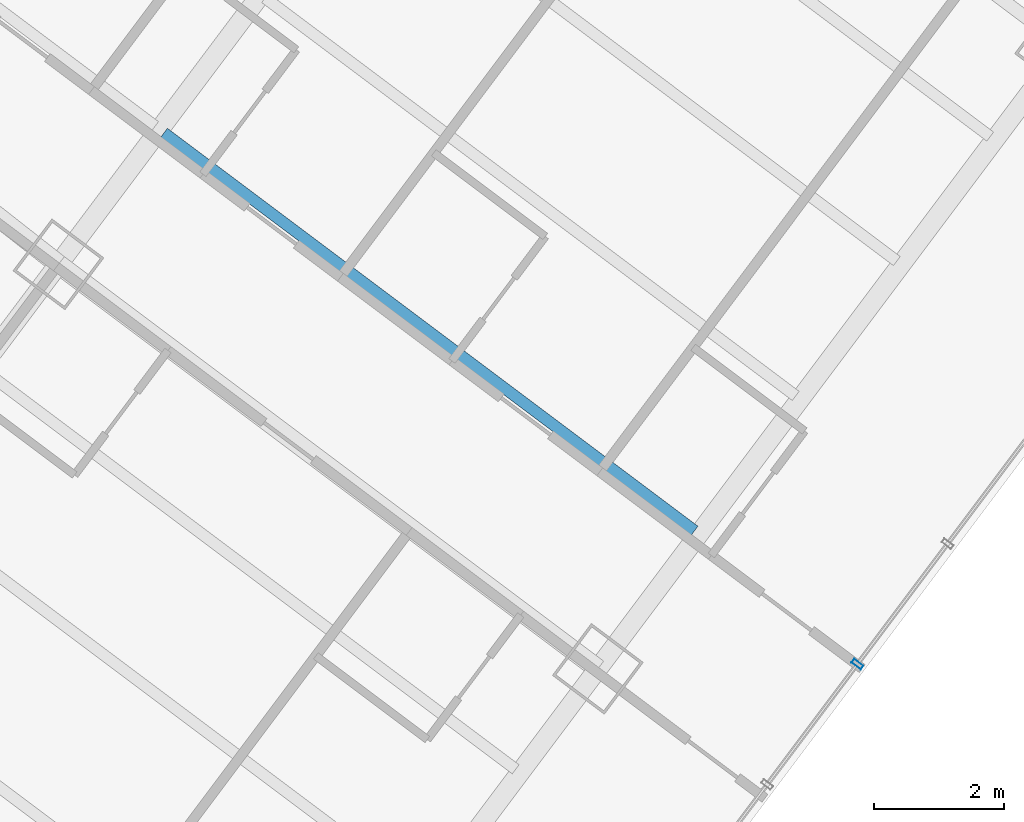
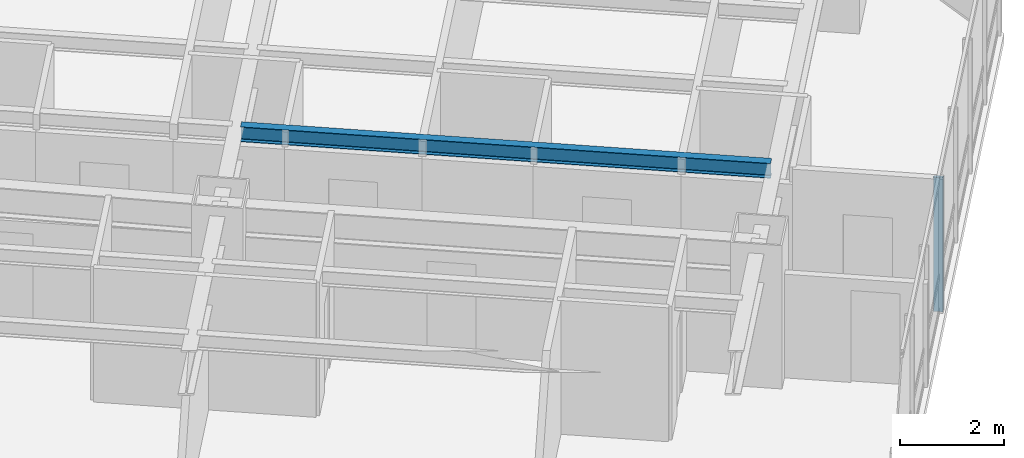
# One storey, part 16 of 38: 1 beam, 1 member, 1 element without a shape of its own.
"""IFC4 building model written with IfcOpenShell, lengths in metres."""

from ifc_helpers import new_model, si_unit, direction, frame, origin, origin_2d, place, context, subcontext, project, spatial, hollow_rectangle, i_section, extrude, material, layer, layer_set, material_profile, profile_set, type_object, element, aggregate, save


model = new_model("IFC4")

# Units and contexts
model_context = context("Model", 3, precision=1e-05, world=origin(), true_north=direction((0.0, 1.0)))
body_context = subcontext(model_context, "Body", "Model", "MODEL_VIEW")
ifc_project = project(units=[si_unit("LENGTHUNIT", "METRE"), si_unit("AREAUNIT", "SQUARE_METRE"), si_unit("VOLUMEUNIT", "CUBIC_METRE"), si_unit("PLANEANGLEUNIT", "RADIAN"), si_unit("MASSUNIT", "GRAM", prefix="KILO")], contexts=[model_context])

# Site, building, storey
site_placement = place(None, origin())
site = spatial("IfcSite", under=ifc_project, at=site_placement, CompositionType="ELEMENT")
building_placement = place(site_placement, origin())
building = spatial("IfcBuilding", under=site, at=building_placement, Name="Hatsunagi Terrace Concourse", CompositionType="ELEMENT")
storey_placement = place(building_placement, frame((0.0, 0.0, 63.39990234375)))
storey = spatial("IfcBuildingStorey", under=building, at=storey_placement, Name="L16", CompositionType="ELEMENT", Elevation=63.39990234375)

# Curtain wall, member
ifc_material_1 = material(Name="Anodised Aluminium Alloy 6063-T5", Category="aluminium")
ifc_layer = layer(ifc_material_1, 0.199951171875)
ifc_layer_set = layer_set([ifc_layer], Name="HotelFacade_CW02")
curtain_wall_type = type_object("IfcCurtainWallType", Name="HotelFacade_CW02", PredefinedType="NOTDEFINED", material=ifc_layer_set)
curtain_wall_placement = place(storey_placement, origin())
curtain_wall = element("IfcCurtainWall", 1, at=curtain_wall_placement, inside=storey, type_object=curtain_wall_type, Name="Unitised Curtain Wall CW-02 CW-L16-03", PredefinedType="NOTDEFINED")
ifc_material_2 = material(Name="Anodised Aluminium Alloy 6063-T5", Category="aluminium")
ifc_material_profile_1 = material_profile(ifc_material_2, hollow_rectangle(XDim=0.070068359375, YDim=0.179931640625, WallThickness=0.00390625, at=origin_2d()), Name="ALU-MUL-180x70x4")
ifc_profile_set_1 = profile_set([ifc_material_profile_1], Name="Anodised Aluminium Alloy 6063-T5")
member_type = type_object("IfcMemberType", Name="CurtainWallMullion_180x70", PredefinedType="MULLION", material=ifc_profile_set_1)
member_placement = place(storey_placement, frame((63.52392578125, 12.23193359375, 0.0), z_axis=(0.0, 0.0, 1.0), x_axis=(-0.599969314634, -0.800023013105, 0.0)))
member = element("IfcMember", 2, at=member_placement, type_object=member_type, Name="Curtain Wall Mullion MUL-02", PredefinedType="MULLION", context=body_context, shape_type="SweptSolid", body=[
    extrude(hollow_rectangle(XDim=0.070068359375, YDim=0.179931640625, WallThickness=0.00390625, at=origin_2d()), origin(), (0.0, 0.0, 1.0), 3.130126953125),
])
aggregate(curtain_wall, [member])

# Beam
ifc_material_3 = material(Name="Steel SN490B", Category="steel")
ifc_material_profile_2 = material_profile(ifc_material_3, i_section(OverallWidth=0.175048828125, OverallDepth=0.35009765625, WebThickness=0.007080078125, FlangeThickness=0.010986328125, FilletRadius=0.012939453125, at=origin_2d()), Name="H-350x175x7x11")
ifc_profile_set_2 = profile_set([ifc_material_profile_2], Name="Steel SN490B")
beam_type = type_object("IfcBeamType", Name="HotelJoist_H_350x175", PredefinedType="JOIST", material=ifc_profile_set_2)
beam_placement = place(storey_placement, frame((52.827880859375, 20.428955078125, 2.955078125), z_axis=(0.800005727586, -0.599992363142, 0.0), x_axis=(0.599992363142, 0.800005727586, 0.0)))
element("IfcBeam", 3, at=beam_placement, inside=storey, type_object=beam_type, Name="Beam J-02 J-L16-SE-3-142", PredefinedType="JOIST", context=body_context, shape_type="SweptSolid", body=[
    extrude(i_section(OverallWidth=0.175048828125, OverallDepth=0.35009765625, WebThickness=0.007080078125, FlangeThickness=0.010986328125, FilletRadius=0.012939453125, at=origin_2d()), origin(), (0.0, 0.0, 1.0), 10.22998046875),
])

save(model, "model.ifc")
